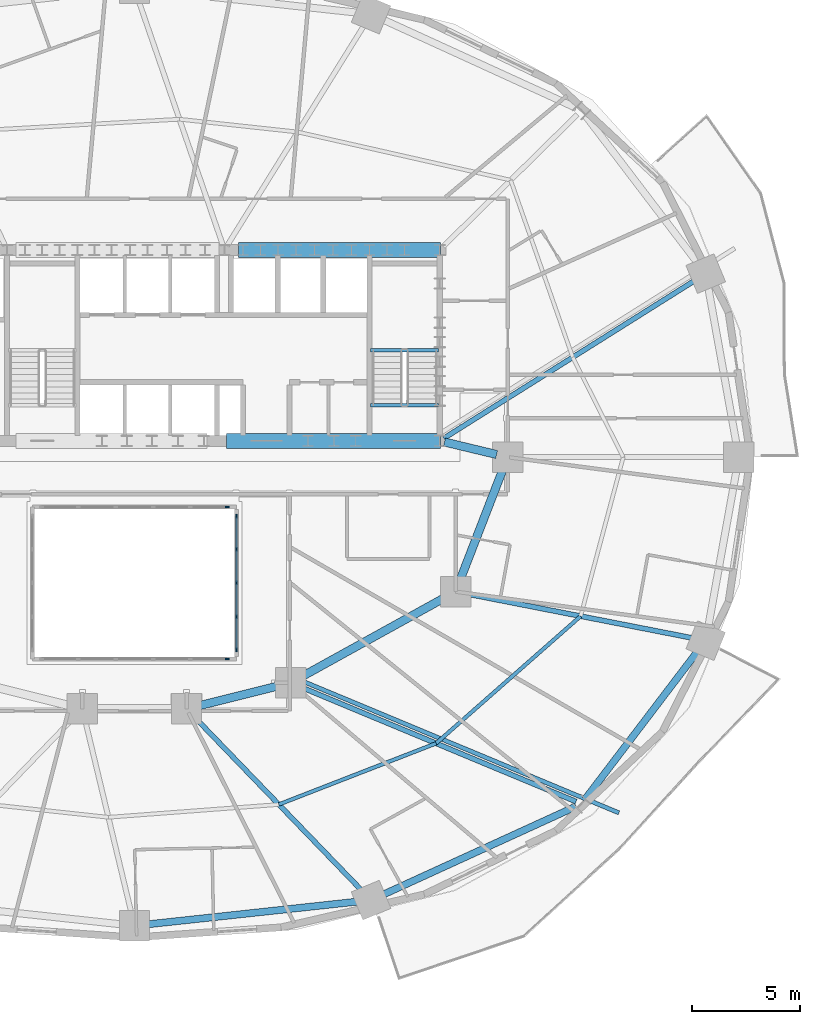
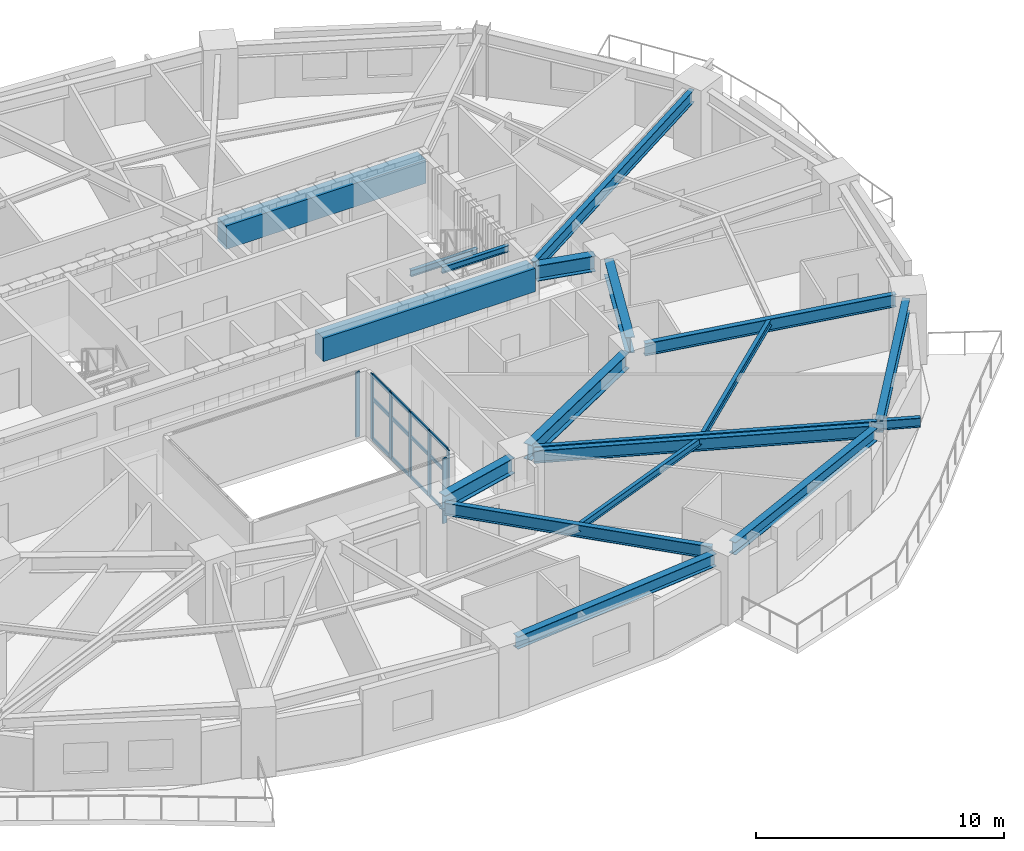
# One storey, part 5 of 16: 19 members, 18 beams, 3 elements without a shape of their own.
"""IFC4 building model written with IfcOpenShell, lengths in metres."""

from ifc_helpers import new_model, si_unit, direction, frame, origin, origin_2d, place, context, subcontext, project, spatial, rectangle, i_section, extrude, material, material_profile, profile_set, type_object, element, aggregate, save


model = new_model("IFC4")

# Units and contexts
model_context = context("Model", 3, precision=1e-05, world=origin(), true_north=direction((0.0, 1.0)))
body_context = subcontext(model_context, "Body", "Model", "MODEL_VIEW")
ifc_project = project(units=[si_unit("LENGTHUNIT", "METRE"), si_unit("AREAUNIT", "SQUARE_METRE"), si_unit("VOLUMEUNIT", "CUBIC_METRE"), si_unit("PLANEANGLEUNIT", "RADIAN"), si_unit("MASSUNIT", "GRAM", prefix="KILO")], contexts=[model_context])

# Site, building, storey
site_placement = place(None, origin())
site = spatial("IfcSite", under=ifc_project, at=site_placement, CompositionType="ELEMENT")
building_placement = place(site_placement, origin())
building = spatial("IfcBuilding", under=site, at=building_placement, Name="Haldorwick Loom Tower", CompositionType="ELEMENT")
storey_placement = place(building_placement, frame((0.0, 0.0, 88.699951171875)))
storey = spatial("IfcBuildingStorey", under=building, at=storey_placement, Name="L23", CompositionType="ELEMENT", Elevation=88.699951171875)

# Curtain wall, member
ifc_material_1 = material(Name="Thermally Broken Anodized Aluminium Curtain Wall Framing", Category="aluminium")
curtain_wall_type = type_object("IfcCurtainWallType", Name="ARC-CW-03", PredefinedType="NOTDEFINED", material=ifc_material_1)
curtain_wall_1_placement = place(storey_placement, origin())
curtain_wall_1 = element("IfcCurtainWall", 1, at=curtain_wall_1_placement, inside=storey, type_object=curtain_wall_type, Name="L23 Atrium Glazed Screen S", PredefinedType="NOTDEFINED")
ifc_material_profile_1 = material_profile(ifc_material_1, rectangle(XDim=0.06591796875, YDim=0.18505859375, at=origin_2d()), Name="ALU_MUL_66X185", Category="aluminium")
ifc_profile_set_1 = profile_set([ifc_material_profile_1], Name="Thermally Broken Anodized Aluminium Curtain Wall Framing")
member_type_1 = type_object("IfcMemberType", Name="ARC-CWM-03", PredefinedType="MULLION", material=ifc_profile_set_1)
member_1_placement = place(storey_placement, frame((40.26708984375, 16.699951171875, 0.0), z_axis=(0.0, 0.0, 1.0), x_axis=(0.0, -1.0, 0.0)))
member_1 = element("IfcMember", 2, at=member_1_placement, type_object=member_type_1, Name="CW-03 mullion 1", PredefinedType="MULLION", context=body_context, shape_type="SweptSolid", body=[
    extrude(rectangle(XDim=0.06591796875, YDim=0.18505859375, at=origin_2d()), origin(), (0.0, 0.0, 1.0), 3.2099609375),
])
aggregate(curtain_wall_1, [member_1])

curtain_wall_2_placement = place(storey_placement, origin())
curtain_wall_2 = element("IfcCurtainWall", 3, at=curtain_wall_2_placement, inside=storey, type_object=curtain_wall_type, Name="L23 Atrium Glazed Screen N", PredefinedType="NOTDEFINED")
member_2_placement = place(storey_placement, frame((40.26708984375, 23.699951171875, 0.0), z_axis=(0.0, 0.0, 1.0), x_axis=(0.0, 1.0, 0.0)))
member_2 = element("IfcMember", 4, at=member_2_placement, type_object=member_type_1, Name="CW-03 mullion 6", PredefinedType="MULLION", context=body_context, shape_type="SweptSolid", body=[
    extrude(rectangle(XDim=0.06591796875, YDim=0.18505859375, at=origin_2d()), origin(), (0.0, 0.0, 1.0), 3.2099609375),
])
aggregate(curtain_wall_2, [member_2])

# Curtain wall, members
curtain_wall_3_placement = place(storey_placement, origin())
curtain_wall_3 = element("IfcCurtainWall", 5, at=curtain_wall_3_placement, inside=storey, type_object=curtain_wall_type, Name="L23 Atrium Glazed Screen E", PredefinedType="NOTDEFINED")
member_3_placement = place(storey_placement, frame((40.699951171875, 23.26708984375, 0.0), z_axis=(0.0, 0.0, 1.0), x_axis=(1.0, 0.0, 0.0)))
member_3 = element("IfcMember", 6, at=member_3_placement, type_object=member_type_1, Name="CW-03 mullion 1", PredefinedType="MULLION", context=body_context, shape_type="SweptSolid", body=[
    extrude(rectangle(XDim=0.06591796875, YDim=0.18505859375, at=origin_2d()), origin(), (0.0, 0.0, 1.0), 3.2099609375),
])
member_4_placement = place(storey_placement, frame((40.699951171875, 21.75, 0.0), z_axis=(0.0, 0.0, 1.0), x_axis=(1.0, 0.0, 0.0)))
member_4 = element("IfcMember", 7, at=member_4_placement, type_object=member_type_1, Name="CW-03 mullion 2", PredefinedType="MULLION", context=body_context, shape_type="SweptSolid", body=[
    extrude(rectangle(XDim=0.06591796875, YDim=0.18505859375, at=origin_2d()), origin(), (0.0, 0.0, 1.0), 3.2099609375),
])
member_5_placement = place(storey_placement, frame((40.699951171875, 20.199951171875, 0.0), z_axis=(0.0, 0.0, 1.0), x_axis=(1.0, 0.0, 0.0)))
member_5 = element("IfcMember", 8, at=member_5_placement, type_object=member_type_1, Name="CW-03 mullion 3", PredefinedType="MULLION", context=body_context, shape_type="SweptSolid", body=[
    extrude(rectangle(XDim=0.06591796875, YDim=0.18505859375, at=origin_2d()), origin(), (0.0, 0.0, 1.0), 3.2099609375),
])
member_6_placement = place(storey_placement, frame((40.699951171875, 18.64990234375, 0.0), z_axis=(0.0, 0.0, 1.0), x_axis=(1.0, 0.0, 0.0)))
member_6 = element("IfcMember", 9, at=member_6_placement, type_object=member_type_1, Name="CW-03 mullion 4", PredefinedType="MULLION", context=body_context, shape_type="SweptSolid", body=[
    extrude(rectangle(XDim=0.06591796875, YDim=0.18505859375, at=origin_2d()), origin(), (0.0, 0.0, 1.0), 3.2099609375),
])
member_7_placement = place(storey_placement, frame((40.699951171875, 17.133056640625, 0.0), z_axis=(0.0, 0.0, 1.0), x_axis=(1.0, 0.0, 0.0)))
member_7 = element("IfcMember", 10, at=member_7_placement, type_object=member_type_1, Name="CW-03 mullion 5", PredefinedType="MULLION", context=body_context, shape_type="SweptSolid", body=[
    extrude(rectangle(XDim=0.06591796875, YDim=0.18505859375, at=origin_2d()), origin(), (0.0, 0.0, 1.0), 3.2099609375),
])
ifc_material_profile_2 = material_profile(ifc_material_1, rectangle(XDim=0.06591796875, YDim=0.1650390625, at=origin_2d()), Name="ALU_TRN_66X165", Category="aluminium")
ifc_profile_set_2 = profile_set([ifc_material_profile_2], Name="Thermally Broken Anodized Aluminium Curtain Wall Framing")
member_type_2 = type_object("IfcMemberType", Name="ARC-CWT-03", PredefinedType="USERDEFINED", material=ifc_profile_set_2)
member_8_placement = place(storey_placement, frame((40.699951171875, 23.23388671875, 0.032958984375), z_axis=(0.0, -1.0, 0.0), x_axis=(1.0, 0.0, 0.0)))
member_8 = element("IfcMember", 11, at=member_8_placement, type_object=member_type_2, Name="CW-03 transom 1.1", ObjectType="TRANSOM", PredefinedType="USERDEFINED", context=body_context, shape_type="SweptSolid", body=[
    extrude(rectangle(XDim=0.06591796875, YDim=0.1650390625, at=origin_2d()), origin(), (0.0, 0.0, 1.0), 1.450927734375),
])
member_9_placement = place(storey_placement, frame((40.699951171875, 23.23388671875, 2.0), z_axis=(0.0, -1.0, 0.0), x_axis=(1.0, 0.0, 0.0)))
member_9 = element("IfcMember", 12, at=member_9_placement, type_object=member_type_2, Name="CW-03 transom 1.2", ObjectType="TRANSOM", PredefinedType="USERDEFINED", context=body_context, shape_type="SweptSolid", body=[
    extrude(rectangle(XDim=0.06591796875, YDim=0.1650390625, at=origin_2d()), origin(), (0.0, 0.0, 1.0), 1.450927734375),
])
member_10_placement = place(storey_placement, frame((40.699951171875, 23.23388671875, 3.177001953125), z_axis=(0.0, -1.0, 0.0), x_axis=(1.0, 0.0, 0.0)))
member_10 = element("IfcMember", 13, at=member_10_placement, type_object=member_type_2, Name="CW-03 transom 1.3", ObjectType="TRANSOM", PredefinedType="USERDEFINED", context=body_context, shape_type="SweptSolid", body=[
    extrude(rectangle(XDim=0.06591796875, YDim=0.1650390625, at=origin_2d()), origin(), (0.0, 0.0, 1.0), 1.450927734375),
])
member_11_placement = place(storey_placement, frame((40.699951171875, 21.717041015625, 0.032958984375), z_axis=(0.0, -1.0, 0.0), x_axis=(1.0, 0.0, 0.0)))
member_11 = element("IfcMember", 14, at=member_11_placement, type_object=member_type_2, Name="CW-03 transom 2.1", ObjectType="TRANSOM", PredefinedType="USERDEFINED", context=body_context, shape_type="SweptSolid", body=[
    extrude(rectangle(XDim=0.06591796875, YDim=0.1650390625, at=origin_2d()), origin(), (0.0, 0.0, 1.0), 1.484130859375),
])
member_12_placement = place(storey_placement, frame((40.699951171875, 21.717041015625, 2.0), z_axis=(0.0, -1.0, 0.0), x_axis=(1.0, 0.0, 0.0)))
member_12 = element("IfcMember", 15, at=member_12_placement, type_object=member_type_2, Name="CW-03 transom 2.2", ObjectType="TRANSOM", PredefinedType="USERDEFINED", context=body_context, shape_type="SweptSolid", body=[
    extrude(rectangle(XDim=0.06591796875, YDim=0.1650390625, at=origin_2d()), origin(), (0.0, 0.0, 1.0), 1.484130859375),
])
member_13_placement = place(storey_placement, frame((40.699951171875, 21.717041015625, 3.177001953125), z_axis=(0.0, -1.0, 0.0), x_axis=(1.0, 0.0, 0.0)))
member_13 = element("IfcMember", 16, at=member_13_placement, type_object=member_type_2, Name="CW-03 transom 2.3", ObjectType="TRANSOM", PredefinedType="USERDEFINED", context=body_context, shape_type="SweptSolid", body=[
    extrude(rectangle(XDim=0.06591796875, YDim=0.1650390625, at=origin_2d()), origin(), (0.0, 0.0, 1.0), 1.484130859375),
])
member_14_placement = place(storey_placement, frame((40.699951171875, 20.1669921875, 0.032958984375), z_axis=(0.0, -1.0, 0.0), x_axis=(1.0, 0.0, 0.0)))
member_14 = element("IfcMember", 17, at=member_14_placement, type_object=member_type_2, Name="CW-03 transom 3.1", ObjectType="TRANSOM", PredefinedType="USERDEFINED", context=body_context, shape_type="SweptSolid", body=[
    extrude(rectangle(XDim=0.06591796875, YDim=0.1650390625, at=origin_2d()), origin(), (0.0, 0.0, 1.0), 1.48388671875),
])
member_15_placement = place(storey_placement, frame((40.699951171875, 20.1669921875, 2.0), z_axis=(0.0, -1.0, 0.0), x_axis=(1.0, 0.0, 0.0)))
member_15 = element("IfcMember", 18, at=member_15_placement, type_object=member_type_2, Name="CW-03 transom 3.2", ObjectType="TRANSOM", PredefinedType="USERDEFINED", context=body_context, shape_type="SweptSolid", body=[
    extrude(rectangle(XDim=0.06591796875, YDim=0.1650390625, at=origin_2d()), origin(), (0.0, 0.0, 1.0), 1.48388671875),
])
member_16_placement = place(storey_placement, frame((40.699951171875, 20.1669921875, 3.177001953125), z_axis=(0.0, -1.0, 0.0), x_axis=(1.0, 0.0, 0.0)))
member_16 = element("IfcMember", 19, at=member_16_placement, type_object=member_type_2, Name="CW-03 transom 3.3", ObjectType="TRANSOM", PredefinedType="USERDEFINED", context=body_context, shape_type="SweptSolid", body=[
    extrude(rectangle(XDim=0.06591796875, YDim=0.1650390625, at=origin_2d()), origin(), (0.0, 0.0, 1.0), 1.48388671875),
])
member_17_placement = place(storey_placement, frame((40.699951171875, 18.616943359375, 0.032958984375), z_axis=(0.0, -1.0, 0.0), x_axis=(1.0, 0.0, 0.0)))
member_17 = element("IfcMember", 20, at=member_17_placement, type_object=member_type_2, Name="CW-03 transom 4.1", ObjectType="TRANSOM", PredefinedType="USERDEFINED", context=body_context, shape_type="SweptSolid", body=[
    extrude(rectangle(XDim=0.06591796875, YDim=0.1650390625, at=origin_2d()), origin(), (0.0, 0.0, 1.0), 1.450927734375),
])
member_18_placement = place(storey_placement, frame((40.699951171875, 18.616943359375, 2.0), z_axis=(0.0, -1.0, 0.0), x_axis=(1.0, 0.0, 0.0)))
member_18 = element("IfcMember", 21, at=member_18_placement, type_object=member_type_2, Name="CW-03 transom 4.2", ObjectType="TRANSOM", PredefinedType="USERDEFINED", context=body_context, shape_type="SweptSolid", body=[
    extrude(rectangle(XDim=0.06591796875, YDim=0.1650390625, at=origin_2d()), origin(), (0.0, 0.0, 1.0), 1.450927734375),
])
member_19_placement = place(storey_placement, frame((40.699951171875, 18.616943359375, 3.177001953125), z_axis=(0.0, -1.0, 0.0), x_axis=(1.0, 0.0, 0.0)))
member_19 = element("IfcMember", 22, at=member_19_placement, type_object=member_type_2, Name="CW-03 transom 4.3", ObjectType="TRANSOM", PredefinedType="USERDEFINED", context=body_context, shape_type="SweptSolid", body=[
    extrude(rectangle(XDim=0.06591796875, YDim=0.1650390625, at=origin_2d()), origin(), (0.0, 0.0, 1.0), 1.450927734375),
])
aggregate(curtain_wall_3, [member_3, member_4, member_5, member_6, member_7, member_8, member_9, member_10, member_11, member_12, member_13, member_14, member_15, member_16, member_17, member_18, member_19])

# Beams
ifc_material_2 = material(Name="Steel CSA G40.21 350W", Category="steel")
ifc_material_profile_3 = material_profile(ifc_material_2, i_section(OverallWidth=0.193115234375, OverallDepth=0.466064453125, WebThickness=0.011474609375, FlangeThickness=0.01904296875, at=origin_2d()), Name="W460X97", Category="steel")
ifc_profile_set_3 = profile_set([ifc_material_profile_3], Name="Steel CSA G40.21 350W")
beam_type_1 = type_object("IfcBeamType", Name="STR-BM-BAL460", PredefinedType="BEAM", material=ifc_profile_set_3)
beam_1_placement = place(storey_placement, frame((43.78759765625, 15.65869140625, 2.97705078125), z_axis=(0.923187850755, -0.384349049976, 0.0), x_axis=(0.384349049976, 0.923187850755, 0.0)))
element("IfcBeam", 23, at=beam_1_placement, inside=storey, type_object=beam_type_1, Name="L23 Continuous Back-Spanned Balcony Beam 1", PredefinedType="BEAM", context=body_context, shape_type="SweptSolid", body=[
    extrude(i_section(OverallWidth=0.193115234375, OverallDepth=0.466064453125, WebThickness=0.011474609375, FlangeThickness=0.01904296875, at=origin_2d()), origin(), (0.0, 0.0, 1.0), 15.75244140625),
])
ifc_material_3 = material(Name="Concrete C60 (60 MPa)", Category="concrete")
ifc_material_profile_4 = material_profile(ifc_material_3, rectangle(XDim=0.699951171875, YDim=1.14990234375, at=origin_2d()), Name="RC700X1150", Category="concrete")
ifc_profile_set_4 = profile_set([ifc_material_profile_4], Name="Concrete C60 (60 MPa)")
beam_type_2 = type_object("IfcBeamType", Name="STR-BM-CB1150", PredefinedType="LINTEL", material=ifc_profile_set_4)
beam_2_placement = place(storey_placement, frame((40.800048828125, 35.550048828125, 2.635009765625), z_axis=(1.0, 0.0, 0.0), x_axis=(0.0, 1.0, 0.0)))
element("IfcBeam", 24, at=beam_2_placement, inside=storey, type_object=beam_type_2, Name="L23 Core Coupling Beam CB-N3", PredefinedType="LINTEL", context=body_context, shape_type="SweptSolid", body=[
    extrude(rectangle(XDim=0.699951171875, YDim=1.14990234375, at=origin_2d()), origin(), (0.0, 0.0, 1.0), 9.300048828125),
])
beam_3_placement = place(storey_placement, frame((40.25, 26.75, 2.635009765625), z_axis=(1.0, 0.0, 0.0), x_axis=(0.0, 1.0, 0.0)))
element("IfcBeam", 25, at=beam_3_placement, inside=storey, type_object=beam_type_2, Name="L23 Core Coupling Beam CB-S3", PredefinedType="LINTEL", context=body_context, shape_type="SweptSolid", body=[
    extrude(rectangle(XDim=0.699951171875, YDim=1.14990234375, at=origin_2d()), origin(), (0.0, 0.0, 1.0), 9.85009765625),
])
ifc_material_profile_5 = material_profile(ifc_material_2, i_section(OverallWidth=0.172119140625, OverallDepth=0.35791015625, WebThickness=0.0078125, FlangeThickness=0.01318359375, at=origin_2d()), Name="W360X57", Category="steel")
ifc_profile_set_5 = profile_set([ifc_material_profile_5], Name="Steel CSA G40.21 350W")
beam_type_3 = type_object("IfcBeamType", Name="STR-BM-J360", PredefinedType="JOIST", material=ifc_profile_set_5)
beam_4_placement = place(storey_placement, frame((42.6533203125, 9.9912109375, 3.031005859375), z_axis=(0.932072983051, 0.362270553959, 0.0), x_axis=(-0.362270553959, 0.932072983051, 0.0)))
element("IfcBeam", 26, at=beam_4_placement, inside=storey, type_object=beam_type_3, Name="L23 Mid-Bay Secondary Joist 14", PredefinedType="JOIST", context=body_context, shape_type="SweptSolid", body=[
    extrude(i_section(OverallWidth=0.172119140625, OverallDepth=0.35791015625, WebThickness=0.0078125, FlangeThickness=0.01318359375, at=origin_2d()), origin(), (0.0, 0.0, 1.0), 7.7783203125),
])
beam_5_placement = place(storey_placement, frame((49.9033203125, 12.80908203125, 3.031005859375), z_axis=(0.750721157729, 0.660619212057, 0.0), x_axis=(-0.660619212057, 0.750721157729, 0.0)))
element("IfcBeam", 27, at=beam_5_placement, inside=storey, type_object=beam_type_3, Name="L23 Mid-Bay Secondary Joist 15", PredefinedType="JOIST", context=body_context, shape_type="SweptSolid", body=[
    extrude(i_section(OverallWidth=0.172119140625, OverallDepth=0.35791015625, WebThickness=0.0078125, FlangeThickness=0.01318359375, at=origin_2d()), origin(), (0.0, 0.0, 1.0), 8.8740234375),
])
ifc_material_profile_6 = material_profile(ifc_material_2, i_section(OverallWidth=0.324951171875, OverallDepth=0.615966796875, WebThickness=0.013916015625, FlangeThickness=0.021484375, at=origin_2d()), Name="W610X174", Category="steel")
ifc_profile_set_6 = profile_set([ifc_material_profile_6], Name="Steel CSA G40.21 350W")
beam_type_4 = type_object("IfcBeamType", Name="STR-BM-SP610", PredefinedType="SPANDREL", material=ifc_profile_set_6)
beam_6_placement = place(storey_placement, frame((36.51708984375, 4.45751953125, 2.902099609375), z_axis=(0.994190135627, 0.107638163409, 0.0), x_axis=(-0.107638163409, 0.994190135627, 0.0)))
element("IfcBeam", 28, at=beam_6_placement, inside=storey, type_object=beam_type_4, Name="L23 Perimeter Spandrel 13", PredefinedType="SPANDREL", context=body_context, shape_type="SweptSolid", body=[
    extrude(i_section(OverallWidth=0.324951171875, OverallDepth=0.615966796875, WebThickness=0.013916015625, FlangeThickness=0.021484375, at=origin_2d()), origin(), (0.0, 0.0, 1.0), 9.929931640625),
])
beam_7_placement = place(storey_placement, frame((47.37939453125, 5.798583984375, 2.902099609375), z_axis=(0.909423969306, 0.415870225011, 0.0), x_axis=(-0.415870225011, 0.909423969306, 0.0)))
element("IfcBeam", 29, at=beam_7_placement, inside=storey, type_object=beam_type_4, Name="L23 Perimeter Spandrel 14", PredefinedType="SPANDREL", context=body_context, shape_type="SweptSolid", body=[
    extrude(i_section(OverallWidth=0.324951171875, OverallDepth=0.615966796875, WebThickness=0.013916015625, FlangeThickness=0.021484375, at=origin_2d()), origin(), (0.0, 0.0, 1.0), 9.871337890625),
])
beam_8_placement = place(storey_placement, frame((56.773193359375, 10.2373046875, 2.902099609375), z_axis=(0.605453508047, 0.795880675475, 0.0), x_axis=(-0.795880675475, 0.605453508047, 0.0)))
element("IfcBeam", 30, at=beam_8_placement, inside=storey, type_object=beam_type_4, Name="L23 Perimeter Spandrel 15", PredefinedType="SPANDREL", context=body_context, shape_type="SweptSolid", body=[
    extrude(i_section(OverallWidth=0.324951171875, OverallDepth=0.615966796875, WebThickness=0.013916015625, FlangeThickness=0.021484375, at=origin_2d()), origin(), (0.0, 0.0, 1.0), 8.6591796875),
])
ifc_material_profile_7 = material_profile(ifc_material_2, i_section(OverallWidth=0.166015625, OverallDepth=0.31298828125, WebThickness=0.006591796875, FlangeThickness=0.01123046875, at=origin_2d()), Name="W310X45", Category="steel")
ifc_profile_set_7 = profile_set([ifc_material_profile_7], Name="Steel CSA G40.21 350W")
beam_type_5 = type_object("IfcBeamType", Name="STR-BM-STRM", PredefinedType="BEAM", material=ifc_profile_set_7)
for number, where, z_axis, x_axis, name in (
    (31, (46.889892578125, 28.39990234375, 3.053466796875), (1.0, 0.0, 0.0), (0.0, 1.0, 0.0), "L23 Stair ST-02 Landing Edge Trimmer"),
    (32, (46.889892578125, 30.919921875, 1.36865234375), (1.0, 0.0, 0.0), (0.0, 1.0, 0.0), "L23 Stair ST-02 Half-Landing Trimmer 1"),
):
    element("IfcBeam", number, at=place(storey_placement, frame(where, z_axis=z_axis, x_axis=x_axis)), inside=storey, type_object=beam_type_5, Name=name, PredefinedType="BEAM", context=body_context, shape_type="SweptSolid", body=[
        extrude(i_section(OverallWidth=0.166015625, OverallDepth=0.31298828125, WebThickness=0.006591796875, FlangeThickness=0.01123046875, at=origin_2d()), origin(), (0.0, 0.0, 1.0), 3.1201171875),
    ])
ifc_material_profile_8 = material_profile(ifc_material_2, i_section(OverallWidth=0.22998046875, OverallDepth=0.616943359375, WebThickness=0.01318359375, FlangeThickness=0.022216796875, at=origin_2d()), Name="W610X140", Category="steel")
ifc_profile_set_8 = profile_set([ifc_material_profile_8], Name="Steel CSA G40.21 350W")
beam_type_6 = type_object("IfcBeamType", Name="STR-BM-W610B", PredefinedType="BEAM", material=ifc_profile_set_8)
beam_9_placement = place(storey_placement, frame((50.260498046875, 26.86962890625, 2.901611328125), z_axis=(0.846609551433, 0.532214493811, 0.0), x_axis=(-0.532214493811, 0.846609551433, 0.0)))
element("IfcBeam", 33, at=beam_9_placement, inside=storey, type_object=beam_type_6, Name="L23 Radial Floor Girder 2", PredefinedType="BEAM", context=body_context, shape_type="SweptSolid", body=[
    extrude(i_section(OverallWidth=0.22998046875, OverallDepth=0.616943359375, WebThickness=0.01318359375, FlangeThickness=0.022216796875, at=origin_2d()), origin(), (0.0, 0.0, 1.0), 13.737060546875),
])
beam_10_placement = place(storey_placement, frame((38.760986328125, 14.02587890625, 2.901611328125), z_axis=(0.694287071595, -0.719698174387, 0.0), x_axis=(0.719698174387, 0.694287071595, 0.0)))
element("IfcBeam", 34, at=beam_10_placement, inside=storey, type_object=beam_type_6, Name="L23 Radial Floor Girder 14", PredefinedType="BEAM", context=body_context, shape_type="SweptSolid", body=[
    extrude(i_section(OverallWidth=0.22998046875, OverallDepth=0.616943359375, WebThickness=0.01318359375, FlangeThickness=0.022216796875, at=origin_2d()), origin(), (0.0, 0.0, 1.0), 11.212158203125),
])
beam_11_placement = place(storey_placement, frame((43.68017578125, 15.400146484375, 2.901611328125), z_axis=(0.923183704764, -0.384359008297, 0.0), x_axis=(0.384359008297, 0.923183704764, 0.0)))
element("IfcBeam", 35, at=beam_11_placement, inside=storey, type_object=beam_type_6, Name="L23 Radial Floor Girder 15", PredefinedType="BEAM", context=body_context, shape_type="SweptSolid", body=[
    extrude(i_section(OverallWidth=0.22998046875, OverallDepth=0.616943359375, WebThickness=0.01318359375, FlangeThickness=0.022216796875, at=origin_2d()), origin(), (0.0, 0.0, 1.0), 13.72705078125),
])
beam_12_placement = place(storey_placement, frame((51.310302734375, 19.7001953125, 2.901611328125), z_axis=(0.981369581426, -0.192129499692, 0.0), x_axis=(0.192129499692, 0.981369581426, 0.0)))
element("IfcBeam", 36, at=beam_12_placement, inside=storey, type_object=beam_type_6, Name="L23 Radial Floor Girder 16", PredefinedType="BEAM", context=body_context, shape_type="SweptSolid", body=[
    extrude(i_section(OverallWidth=0.22998046875, OverallDepth=0.616943359375, WebThickness=0.01318359375, FlangeThickness=0.022216796875, at=origin_2d()), origin(), (0.0, 0.0, 1.0), 10.70947265625),
])
ifc_material_profile_9 = material_profile(ifc_material_2, i_section(OverallWidth=0.381103515625, OverallDepth=0.77294921875, WebThickness=0.0166015625, FlangeThickness=0.027587890625, at=origin_2d()), Name="W760X257", Category="steel")
ifc_profile_set_9 = profile_set([ifc_material_profile_9], Name="Steel CSA G40.21 350W")
beam_type_7 = type_object("IfcBeamType", Name="STR-BM-W760", PredefinedType="BEAM", material=ifc_profile_set_9)
beam_13_placement = place(storey_placement, frame((50.288818359375, 26.697509765625, 2.823486328125), z_axis=(0.97247055837, -0.233025777764, 0.0), x_axis=(0.233025777764, 0.97247055837, 0.0)))
element("IfcBeam", 37, at=beam_13_placement, inside=storey, type_object=beam_type_7, Name="L23 Inner Ring Girder 1", PredefinedType="BEAM", context=body_context, shape_type="SweptSolid", body=[
    extrude(i_section(OverallWidth=0.381103515625, OverallDepth=0.77294921875, WebThickness=0.0166015625, FlangeThickness=0.027587890625, at=origin_2d()), origin(), (0.0, 0.0, 1.0), 2.4736328125),
])
beam_14_placement = place(storey_placement, frame((53.01220703125, 25.51513671875, 2.823486328125), z_axis=(-0.360964792353, -0.93257944363, 0.0), x_axis=(0.93257944363, -0.360964792353, 0.0)))
element("IfcBeam", 38, at=beam_14_placement, inside=storey, type_object=beam_type_7, Name="L23 Inner Ring Girder 2", PredefinedType="BEAM", context=body_context, shape_type="SweptSolid", body=[
    extrude(i_section(OverallWidth=0.381103515625, OverallDepth=0.77294921875, WebThickness=0.0166015625, FlangeThickness=0.027587890625, at=origin_2d()), origin(), (0.0, 0.0, 1.0), 5.6083984375),
])
beam_15_placement = place(storey_placement, frame((50.344970703125, 19.548583984375, 2.823486328125), z_axis=(-0.875244382146, -0.483680960471, 0.0), x_axis=(0.483680960471, -0.875244382146, 0.0)))
element("IfcBeam", 39, at=beam_15_placement, inside=storey, type_object=beam_type_7, Name="L23 Inner Ring Girder 3", PredefinedType="BEAM", context=body_context, shape_type="SweptSolid", body=[
    extrude(i_section(OverallWidth=0.381103515625, OverallDepth=0.77294921875, WebThickness=0.0166015625, FlangeThickness=0.027587890625, at=origin_2d()), origin(), (0.0, 0.0, 1.0), 7.6435546875),
])
beam_16_placement = place(storey_placement, frame((42.695556640625, 15.473876953125, 2.823486328125), z_axis=(-0.970142500145, -0.242535625036, 0.0), x_axis=(0.242535625036, -0.970142500145, 0.0)))
element("IfcBeam", 40, at=beam_16_placement, inside=storey, type_object=beam_type_7, Name="L23 Inner Ring Girder 4", PredefinedType="BEAM", context=body_context, shape_type="SweptSolid", body=[
    extrude(i_section(OverallWidth=0.381103515625, OverallDepth=0.77294921875, WebThickness=0.0166015625, FlangeThickness=0.027587890625, at=origin_2d()), origin(), (0.0, 0.0, 1.0), 3.90771484375),
])

save(model, "model.ifc")
